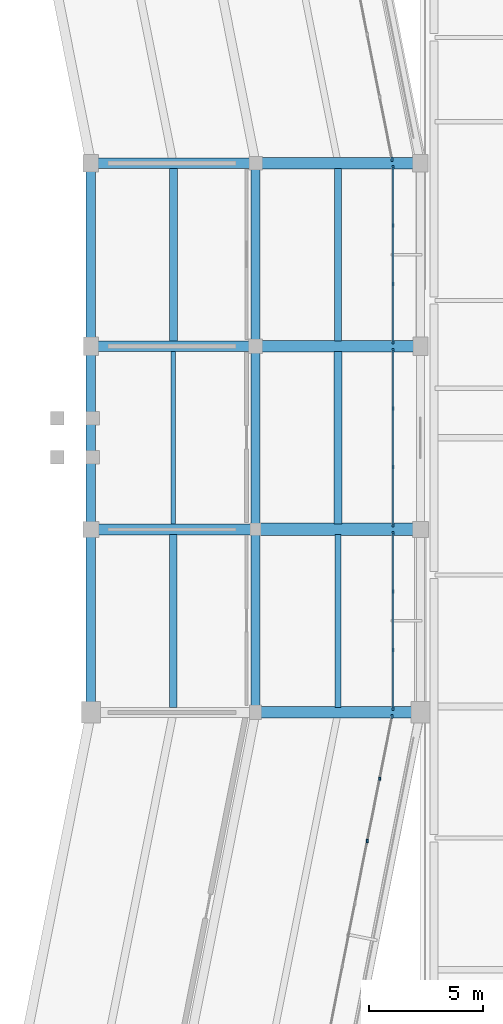
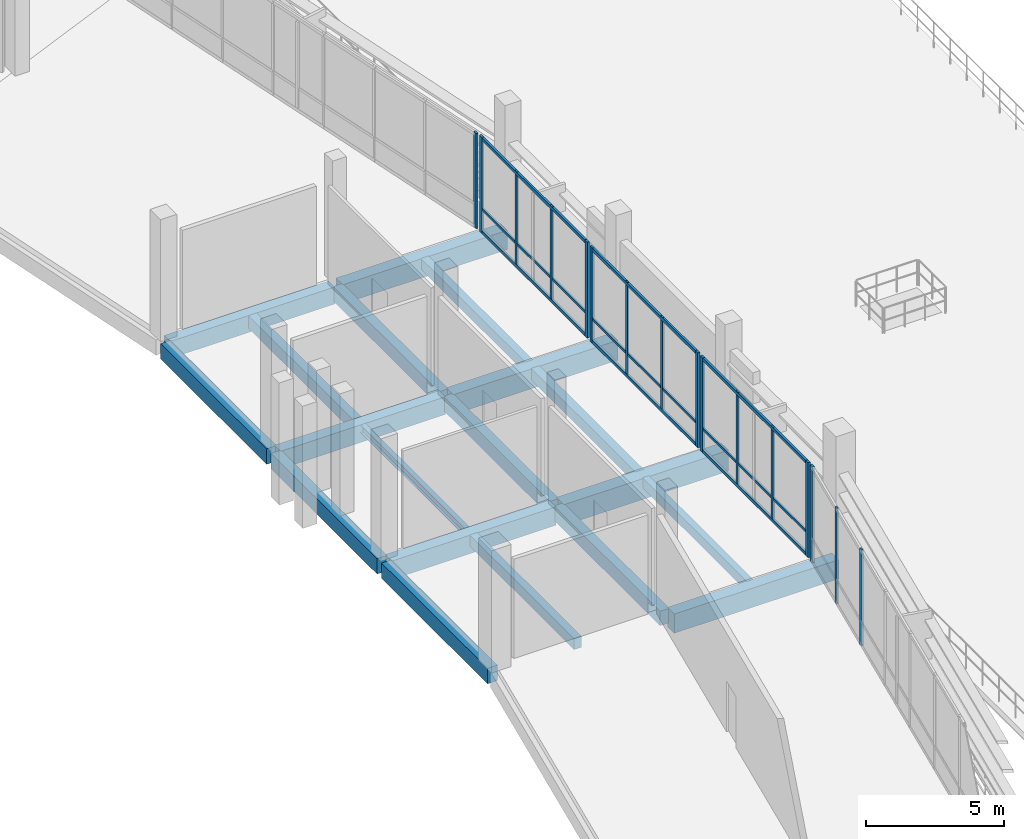
# One storey, part 40 of 111: 25 members, 19 beams, 5 elements without a shape of their own.
"""IFC4 building model written with IfcOpenShell, lengths in metres."""

from ifc_helpers import new_model, si_unit, direction, frame, origin, origin_2d, place, context, subcontext, project, spatial, rectangle, i_section, extrude, material, material_profile, profile_set, type_object, element, aggregate, save


model = new_model("IFC4")

# Units and contexts
model_context = context("Model", 3, precision=1e-05, world=origin(), true_north=direction((0.0, 1.0)))
body_context = subcontext(model_context, "Body", "Model", "MODEL_VIEW")
ifc_project = project(units=[si_unit("LENGTHUNIT", "METRE"), si_unit("AREAUNIT", "SQUARE_METRE"), si_unit("VOLUMEUNIT", "CUBIC_METRE"), si_unit("PLANEANGLEUNIT", "RADIAN"), si_unit("MASSUNIT", "GRAM", prefix="KILO")], contexts=[model_context])

# Site, building, storey
site_placement = place(None, origin())
site = spatial("IfcSite", under=ifc_project, at=site_placement, CompositionType="ELEMENT")
building_placement = place(site_placement, origin())
building = spatial("IfcBuilding", under=site, at=building_placement, Name="Candeia Ridge Stadium", CompositionType="ELEMENT")
storey_placement = place(building_placement, frame((0.0, 0.0, 16.199951171875)))
storey = spatial("IfcBuildingStorey", under=building, at=storey_placement, Name="L03", CompositionType="ELEMENT", Elevation=16.199951171875)

# Beams
ifc_material_1 = material(Name="Concrete C45/55", Category="concrete")
ifc_material_profile_1 = material_profile(ifc_material_1, rectangle(XDim=0.449951171875, YDim=0.75, at=origin_2d()), Name="RC450x750", Category="concrete")
ifc_profile_set_1 = profile_set([ifc_material_profile_1], Name="Concrete C45/55")
beam_type_1 = type_object("IfcBeamType", Name="Bowl Radial Girder RC450x750", PredefinedType="BEAM", material=ifc_profile_set_1)
beam_1_placement = place(storey_placement, frame((178.760009765625, 95.0, -0.625), z_axis=(1.0, 0.0, 0.0), x_axis=(0.0, 1.0, 0.0)))
element("IfcBeam", 1, at=beam_1_placement, inside=storey, type_object=beam_type_1, Name="Bowl radial girder BM-L03-0545", PredefinedType="BEAM", context=body_context, shape_type="SweptSolid", body=[
    extrude(rectangle(XDim=0.449951171875, YDim=0.75, at=origin_2d()), origin(), (0.0, 0.0, 1.0), 6.8798828125),
])
ifc_material_2 = material(Name="Concrete C40/50", Category="concrete")
ifc_material_profile_2 = material_profile(ifc_material_2, rectangle(XDim=0.35009765625, YDim=0.550048828125, at=origin_2d()), Name="RC350x550", Category="concrete")
ifc_profile_set_2 = profile_set([ifc_material_profile_2], Name="Concrete C40/50")
beam_type_2 = type_object("IfcBeamType", Name="Concourse Concrete Joist RC350x550", PredefinedType="JOIST", material=ifc_profile_set_2)
beam_2_placement = place(storey_placement, frame((182.199951171875, 87.221923828125, -0.52490234375), z_axis=(0.0, 1.0, 0.0), x_axis=(-1.0, 0.0, 0.0)))
element("IfcBeam", 2, at=beam_2_placement, inside=storey, type_object=beam_type_2, Name="Concourse secondary joist BM-L03-0700", PredefinedType="JOIST", context=body_context, shape_type="SweptSolid", body=[
    extrude(rectangle(XDim=0.35009765625, YDim=0.550048828125, at=origin_2d()), origin(), (0.0, 0.0, 1.0), 7.55615234375),
])
ifc_material_3 = material(Name="Steel ASTM A572 Grade 50", Category="steel")
ifc_material_profile_3 = material_profile(ifc_material_3, i_section(OverallWidth=0.205078125, OverallDepth=0.35400390625, WebThickness=0.009521484375, FlangeThickness=0.016845703125, FilletRadius=0.014892578125, at=origin_2d()), Name="W360x79", Category="steel")
ifc_profile_set_3 = profile_set([ifc_material_profile_3], Name="Steel ASTM A572 Grade 50")
beam_type_3 = type_object("IfcBeamType", Name="Concourse Secondary Joist W360x79", PredefinedType="JOIST", material=ifc_profile_set_3)
beam_3_placement = place(storey_placement, frame((182.199951171875, 79.221923828125, -0.427001953125), z_axis=(0.0, 1.0, 0.0), x_axis=(-1.0, 0.0, 0.0)))
element("IfcBeam", 3, at=beam_3_placement, inside=storey, type_object=beam_type_3, Name="Concourse secondary joist BM-L03-0695", PredefinedType="JOIST", context=body_context, shape_type="SweptSolid", body=[
    extrude(i_section(OverallWidth=0.205078125, OverallDepth=0.35400390625, WebThickness=0.009521484375, FlangeThickness=0.016845703125, FilletRadius=0.014892578125, at=origin_2d()), origin(), (0.0, 0.0, 1.0), 7.55615234375),
])

# Curtain wall, member
ifc_material_4 = material(Name="Aluminium Anodized Warm Bronze", Category="aluminium")
curtain_wall_type = type_object("IfcCurtainWallType", Name="Concourse Recessed Unitised Curtain Wall", PredefinedType="NOTDEFINED", material=ifc_material_4)
curtain_wall_1_placement = place(storey_placement, origin())
curtain_wall_1 = element("IfcCurtainWall", 4, at=curtain_wall_1_placement, inside=storey, type_object=curtain_wall_type, Name="Unitised curtain wall CW-BWL-L03-28", PredefinedType="NOTDEFINED")
ifc_material_profile_4 = material_profile(ifc_material_4, rectangle(XDim=0.090087890625, YDim=0.179931640625, at=origin_2d()), Name="CWM-90x180", Category="aluminium")
ifc_profile_set_4 = profile_set([ifc_material_profile_4], Name="Aluminium Anodized Warm Bronze")
member_type_1 = type_object("IfcMemberType", Name="Curtain Wall Primary Mullion 90x180", PredefinedType="MULLION", material=ifc_profile_set_4)
member_1_placement = place(storey_placement, frame((191.764892578125, 70.823486328125, 0.0), z_axis=(0.0, 0.0, 1.0), x_axis=(1.0, 0.0, 0.0)))
member_1 = element("IfcMember", 5, at=member_1_placement, type_object=member_type_1, Name="Curtain wall mullion CW-BWL-L03-28-M7", PredefinedType="MULLION", context=body_context, shape_type="SweptSolid", body=[
    extrude(rectangle(XDim=0.090087890625, YDim=0.179931640625, at=origin_2d()), origin(), (0.0, 0.0, 1.0), 4.2451171875),
])

# Curtain wall, members
curtain_wall_2_placement = place(storey_placement, origin())
curtain_wall_2 = element("IfcCurtainWall", 6, at=curtain_wall_2_placement, inside=storey, type_object=curtain_wall_type, Name="Unitised curtain wall CW-BWL-L03-29", PredefinedType="NOTDEFINED")
member_2_placement = place(storey_placement, frame((191.800048828125, 71.179931640625, 0.0), z_axis=(0.0, 0.0, 1.0), x_axis=(1.0, 0.0, 0.0)))
member_2 = element("IfcMember", 7, at=member_2_placement, type_object=member_type_1, Name="Curtain wall mullion CW-BWL-L03-29-M0", PredefinedType="MULLION", context=body_context, shape_type="SweptSolid", body=[
    extrude(rectangle(XDim=0.090087890625, YDim=0.179931640625, at=origin_2d()), origin(), (0.0, 0.0, 1.0), 4.205078125),
])
member_3_placement = place(storey_placement, frame((191.800048828125, 78.820068359375, 0.0), z_axis=(0.0, 0.0, 1.0), x_axis=(1.0, 0.0, 0.0)))
member_3 = element("IfcMember", 8, at=member_3_placement, type_object=member_type_1, Name="Curtain wall mullion CW-BWL-L03-29-M3", PredefinedType="MULLION", context=body_context, shape_type="SweptSolid", body=[
    extrude(rectangle(XDim=0.090087890625, YDim=0.179931640625, at=origin_2d()), origin(), (0.0, 0.0, 1.0), 4.205078125),
])

curtain_wall_3_placement = place(storey_placement, origin())
curtain_wall_3 = element("IfcCurtainWall", 9, at=curtain_wall_3_placement, inside=storey, type_object=curtain_wall_type, Name="Unitised curtain wall CW-BWL-L03-30", PredefinedType="NOTDEFINED")
member_4_placement = place(storey_placement, frame((191.800048828125, 79.179931640625, 0.0), z_axis=(0.0, 0.0, 1.0), x_axis=(1.0, 0.0, 0.0)))
member_4 = element("IfcMember", 10, at=member_4_placement, type_object=member_type_1, Name="Curtain wall mullion CW-BWL-L03-30-M0", PredefinedType="MULLION", context=body_context, shape_type="SweptSolid", body=[
    extrude(rectangle(XDim=0.090087890625, YDim=0.179931640625, at=origin_2d()), origin(), (0.0, 0.0, 1.0), 4.205078125),
])
member_5_placement = place(storey_placement, frame((191.800048828125, 86.820068359375, 0.0), z_axis=(0.0, 0.0, 1.0), x_axis=(1.0, 0.0, 0.0)))
member_5 = element("IfcMember", 11, at=member_5_placement, type_object=member_type_1, Name="Curtain wall mullion CW-BWL-L03-30-M3", PredefinedType="MULLION", context=body_context, shape_type="SweptSolid", body=[
    extrude(rectangle(XDim=0.090087890625, YDim=0.179931640625, at=origin_2d()), origin(), (0.0, 0.0, 1.0), 4.205078125),
])

curtain_wall_4_placement = place(storey_placement, origin())
curtain_wall_4 = element("IfcCurtainWall", 12, at=curtain_wall_4_placement, inside=storey, type_object=curtain_wall_type, Name="Unitised curtain wall CW-BWL-L03-31", PredefinedType="NOTDEFINED")
member_6_placement = place(storey_placement, frame((191.800048828125, 87.179931640625, 0.0), z_axis=(0.0, 0.0, 1.0), x_axis=(1.0, 0.0, 0.0)))
member_6 = element("IfcMember", 13, at=member_6_placement, type_object=member_type_1, Name="Curtain wall mullion CW-BWL-L03-31-M0", PredefinedType="MULLION", context=body_context, shape_type="SweptSolid", body=[
    extrude(rectangle(XDim=0.090087890625, YDim=0.179931640625, at=origin_2d()), origin(), (0.0, 0.0, 1.0), 4.2451171875),
])
member_7_placement = place(storey_placement, frame((191.800048828125, 94.820068359375, 0.0), z_axis=(0.0, 0.0, 1.0), x_axis=(1.0, 0.0, 0.0)))
member_7 = element("IfcMember", 14, at=member_7_placement, type_object=member_type_1, Name="Curtain wall mullion CW-BWL-L03-31-M3", PredefinedType="MULLION", context=body_context, shape_type="SweptSolid", body=[
    extrude(rectangle(XDim=0.090087890625, YDim=0.179931640625, at=origin_2d()), origin(), (0.0, 0.0, 1.0), 4.2451171875),
])

# Curtain wall, member
curtain_wall_5_placement = place(storey_placement, origin())
curtain_wall_5 = element("IfcCurtainWall", 15, at=curtain_wall_5_placement, inside=storey, type_object=curtain_wall_type, Name="Unitised curtain wall CW-BWL-L03-32", PredefinedType="NOTDEFINED")
member_8_placement = place(storey_placement, frame((191.764892578125, 95.176513671875, 0.0), z_axis=(0.0, 0.0, 1.0), x_axis=(1.0, 0.0, 0.0)))
member_8 = element("IfcMember", 16, at=member_8_placement, type_object=member_type_1, Name="Curtain wall mullion CW-BWL-L03-32-M0", PredefinedType="MULLION", context=body_context, shape_type="SweptSolid", body=[
    extrude(rectangle(XDim=0.090087890625, YDim=0.179931640625, at=origin_2d()), origin(), (0.0, 0.0, 1.0), 4.205078125),
])
aggregate(curtain_wall_5, [member_8])

# Member
ifc_material_profile_5 = material_profile(ifc_material_4, rectangle(XDim=0.074951171875, YDim=0.14990234375, at=origin_2d()), Name="CWM-75x150", Category="aluminium")
ifc_profile_set_5 = profile_set([ifc_material_profile_5], Name="Aluminium Anodized Warm Bronze")
member_type_2 = type_object("IfcMemberType", Name="Curtain Wall Secondary Mullion 75x150", PredefinedType="MULLION", material=ifc_profile_set_5)
member_9_placement = place(storey_placement, frame((190.68017578125, 65.3701171875, 0.0), z_axis=(0.0, 0.0, 1.0), x_axis=(1.0, 0.0, 0.0)))
member_9 = element("IfcMember", 17, at=member_9_placement, type_object=member_type_2, Name="Curtain wall mullion CW-BWL-L03-28-M5", PredefinedType="MULLION", context=body_context, shape_type="SweptSolid", body=[
    extrude(rectangle(XDim=0.074951171875, YDim=0.14990234375, at=origin_2d()), origin(), (0.0, 0.0, 1.0), 4.2451171875),
])

member_10_placement = place(storey_placement, frame((191.222412109375, 68.0966796875, 0.0), z_axis=(0.0, 0.0, 1.0), x_axis=(1.0, 0.0, 0.0)))
member_10 = element("IfcMember", 18, at=member_10_placement, type_object=member_type_2, Name="Curtain wall mullion CW-BWL-L03-28-M6", PredefinedType="MULLION", context=body_context, shape_type="SweptSolid", body=[
    extrude(rectangle(XDim=0.074951171875, YDim=0.14990234375, at=origin_2d()), origin(), (0.0, 0.0, 1.0), 4.2451171875),
])

aggregate(curtain_wall_1, [member_9, member_10, member_1])

member_11_placement = place(storey_placement, frame((191.800048828125, 73.726806640625, 0.0), z_axis=(0.0, 0.0, 1.0), x_axis=(1.0, 0.0, 0.0)))
member_11 = element("IfcMember", 19, at=member_11_placement, type_object=member_type_2, Name="Curtain wall mullion CW-BWL-L03-29-M1", PredefinedType="MULLION", context=body_context, shape_type="SweptSolid", body=[
    extrude(rectangle(XDim=0.074951171875, YDim=0.14990234375, at=origin_2d()), origin(), (0.0, 0.0, 1.0), 4.205078125),
])

member_12_placement = place(storey_placement, frame((191.800048828125, 76.273193359375, 0.0), z_axis=(0.0, 0.0, 1.0), x_axis=(1.0, 0.0, 0.0)))
member_12 = element("IfcMember", 20, at=member_12_placement, type_object=member_type_2, Name="Curtain wall mullion CW-BWL-L03-29-M2", PredefinedType="MULLION", context=body_context, shape_type="SweptSolid", body=[
    extrude(rectangle(XDim=0.074951171875, YDim=0.14990234375, at=origin_2d()), origin(), (0.0, 0.0, 1.0), 4.205078125),
])

member_13_placement = place(storey_placement, frame((191.800048828125, 81.726806640625, 0.0), z_axis=(0.0, 0.0, 1.0), x_axis=(1.0, 0.0, 0.0)))
member_13 = element("IfcMember", 21, at=member_13_placement, type_object=member_type_2, Name="Curtain wall mullion CW-BWL-L03-30-M1", PredefinedType="MULLION", context=body_context, shape_type="SweptSolid", body=[
    extrude(rectangle(XDim=0.074951171875, YDim=0.14990234375, at=origin_2d()), origin(), (0.0, 0.0, 1.0), 4.205078125),
])

member_14_placement = place(storey_placement, frame((191.800048828125, 84.273193359375, 0.0), z_axis=(0.0, 0.0, 1.0), x_axis=(1.0, 0.0, 0.0)))
member_14 = element("IfcMember", 22, at=member_14_placement, type_object=member_type_2, Name="Curtain wall mullion CW-BWL-L03-30-M2", PredefinedType="MULLION", context=body_context, shape_type="SweptSolid", body=[
    extrude(rectangle(XDim=0.074951171875, YDim=0.14990234375, at=origin_2d()), origin(), (0.0, 0.0, 1.0), 4.205078125),
])

member_15_placement = place(storey_placement, frame((191.800048828125, 89.726806640625, 0.0), z_axis=(0.0, 0.0, 1.0), x_axis=(1.0, 0.0, 0.0)))
member_15 = element("IfcMember", 23, at=member_15_placement, type_object=member_type_2, Name="Curtain wall mullion CW-BWL-L03-31-M1", PredefinedType="MULLION", context=body_context, shape_type="SweptSolid", body=[
    extrude(rectangle(XDim=0.074951171875, YDim=0.14990234375, at=origin_2d()), origin(), (0.0, 0.0, 1.0), 4.2451171875),
])

member_16_placement = place(storey_placement, frame((191.800048828125, 92.273193359375, 0.0), z_axis=(0.0, 0.0, 1.0), x_axis=(1.0, 0.0, 0.0)))
member_16 = element("IfcMember", 24, at=member_16_placement, type_object=member_type_2, Name="Curtain wall mullion CW-BWL-L03-31-M2", PredefinedType="MULLION", context=body_context, shape_type="SweptSolid", body=[
    extrude(rectangle(XDim=0.074951171875, YDim=0.14990234375, at=origin_2d()), origin(), (0.0, 0.0, 1.0), 4.2451171875),
])

ifc_material_profile_6 = material_profile(ifc_material_4, rectangle(XDim=0.074951171875, YDim=0.110107421875, at=origin_2d()), Name="CWT-75x110", Category="aluminium")
ifc_profile_set_6 = profile_set([ifc_material_profile_6], Name="Aluminium Anodized Warm Bronze")
member_type_3 = type_object("IfcMemberType", Name="Curtain Wall Secondary Transom 75x110", PredefinedType="USERDEFINED", material=ifc_profile_set_6)
member_17_placement = place(storey_placement, frame((191.800048828125, 71.179931640625, 1.05126953125), z_axis=(0.0, 1.0, 0.0), x_axis=(-1.0, 0.0, 0.0)))
member_17 = element("IfcMember", 25, at=member_17_placement, type_object=member_type_3, Name="Curtain wall transom CW-BWL-L03-29-T1", ObjectType="TRANSOM", PredefinedType="USERDEFINED", context=body_context, shape_type="SweptSolid", body=[
    extrude(rectangle(XDim=0.074951171875, YDim=0.110107421875, at=origin_2d()), origin(), (0.0, 0.0, 1.0), 7.64013671875),
])

member_18_placement = place(storey_placement, frame((191.800048828125, 79.179931640625, 1.05126953125), z_axis=(0.0, 1.0, 0.0), x_axis=(-1.0, 0.0, 0.0)))
member_18 = element("IfcMember", 26, at=member_18_placement, type_object=member_type_3, Name="Curtain wall transom CW-BWL-L03-30-T1", ObjectType="TRANSOM", PredefinedType="USERDEFINED", context=body_context, shape_type="SweptSolid", body=[
    extrude(rectangle(XDim=0.074951171875, YDim=0.110107421875, at=origin_2d()), origin(), (0.0, 0.0, 1.0), 7.64013671875),
])

member_19_placement = place(storey_placement, frame((191.800048828125, 87.179931640625, 1.061279296875), z_axis=(0.0, 1.0, 0.0), x_axis=(-1.0, 0.0, 0.0)))
member_19 = element("IfcMember", 27, at=member_19_placement, type_object=member_type_3, Name="Curtain wall transom CW-BWL-L03-31-T1", ObjectType="TRANSOM", PredefinedType="USERDEFINED", context=body_context, shape_type="SweptSolid", body=[
    extrude(rectangle(XDim=0.074951171875, YDim=0.110107421875, at=origin_2d()), origin(), (0.0, 0.0, 1.0), 7.64013671875),
])

ifc_material_profile_7 = material_profile(ifc_material_4, rectangle(XDim=0.090087890625, YDim=0.139892578125, at=origin_2d()), Name="CWT-90x140", Category="aluminium")
ifc_profile_set_7 = profile_set([ifc_material_profile_7], Name="Aluminium Anodized Warm Bronze")
member_type_4 = type_object("IfcMemberType", Name="Curtain Wall Transom 90x140", PredefinedType="USERDEFINED", material=ifc_profile_set_7)
member_20_placement = place(storey_placement, frame((191.800048828125, 71.179931640625, 0.070068359375), z_axis=(0.0, 1.0, 0.0), x_axis=(-1.0, 0.0, 0.0)))
member_20 = element("IfcMember", 28, at=member_20_placement, type_object=member_type_4, Name="Curtain wall transom CW-BWL-L03-29-T0", ObjectType="TRANSOM", PredefinedType="USERDEFINED", context=body_context, shape_type="SweptSolid", body=[
    extrude(rectangle(XDim=0.090087890625, YDim=0.139892578125, at=origin_2d()), origin(), (0.0, 0.0, 1.0), 7.64013671875),
])

member_21_placement = place(storey_placement, frame((191.800048828125, 71.179931640625, 4.135009765625), z_axis=(0.0, 1.0, 0.0), x_axis=(-1.0, 0.0, 0.0)))
member_21 = element("IfcMember", 29, at=member_21_placement, type_object=member_type_4, Name="Curtain wall transom CW-BWL-L03-29-T2", ObjectType="TRANSOM", PredefinedType="USERDEFINED", context=body_context, shape_type="SweptSolid", body=[
    extrude(rectangle(XDim=0.090087890625, YDim=0.139892578125, at=origin_2d()), origin(), (0.0, 0.0, 1.0), 7.64013671875),
])

aggregate(curtain_wall_2, [member_2, member_11, member_12, member_3, member_20, member_17, member_21])

member_22_placement = place(storey_placement, frame((191.800048828125, 79.179931640625, 0.070068359375), z_axis=(0.0, 1.0, 0.0), x_axis=(-1.0, 0.0, 0.0)))
member_22 = element("IfcMember", 30, at=member_22_placement, type_object=member_type_4, Name="Curtain wall transom CW-BWL-L03-30-T0", ObjectType="TRANSOM", PredefinedType="USERDEFINED", context=body_context, shape_type="SweptSolid", body=[
    extrude(rectangle(XDim=0.090087890625, YDim=0.139892578125, at=origin_2d()), origin(), (0.0, 0.0, 1.0), 7.64013671875),
])

member_23_placement = place(storey_placement, frame((191.800048828125, 79.179931640625, 4.135009765625), z_axis=(0.0, 1.0, 0.0), x_axis=(-1.0, 0.0, 0.0)))
member_23 = element("IfcMember", 31, at=member_23_placement, type_object=member_type_4, Name="Curtain wall transom CW-BWL-L03-30-T2", ObjectType="TRANSOM", PredefinedType="USERDEFINED", context=body_context, shape_type="SweptSolid", body=[
    extrude(rectangle(XDim=0.090087890625, YDim=0.139892578125, at=origin_2d()), origin(), (0.0, 0.0, 1.0), 7.64013671875),
])

aggregate(curtain_wall_3, [member_4, member_13, member_14, member_5, member_22, member_18, member_23])

member_24_placement = place(storey_placement, frame((191.800048828125, 87.179931640625, 0.070068359375), z_axis=(0.0, 1.0, 0.0), x_axis=(-1.0, 0.0, 0.0)))
member_24 = element("IfcMember", 32, at=member_24_placement, type_object=member_type_4, Name="Curtain wall transom CW-BWL-L03-31-T0", ObjectType="TRANSOM", PredefinedType="USERDEFINED", context=body_context, shape_type="SweptSolid", body=[
    extrude(rectangle(XDim=0.090087890625, YDim=0.139892578125, at=origin_2d()), origin(), (0.0, 0.0, 1.0), 7.64013671875),
])

member_25_placement = place(storey_placement, frame((191.800048828125, 87.179931640625, 4.175048828125), z_axis=(0.0, 1.0, 0.0), x_axis=(-1.0, 0.0, 0.0)))
member_25 = element("IfcMember", 33, at=member_25_placement, type_object=member_type_4, Name="Curtain wall transom CW-BWL-L03-31-T2", ObjectType="TRANSOM", PredefinedType="USERDEFINED", context=body_context, shape_type="SweptSolid", body=[
    extrude(rectangle(XDim=0.090087890625, YDim=0.139892578125, at=origin_2d()), origin(), (0.0, 0.0, 1.0), 7.64013671875),
])

aggregate(curtain_wall_4, [member_6, member_15, member_16, member_7, member_24, member_19, member_25])

# Beams
ifc_material_profile_8 = material_profile(ifc_material_2, rectangle(XDim=0.27001953125, YDim=0.43994140625, at=origin_2d()), Name="RC270x440", Category="concrete")
ifc_profile_set_8 = profile_set([ifc_material_profile_8], Name="Concrete C40/50")
beam_type_4 = type_object("IfcBeamType", Name="Floor Joist RC270x440", PredefinedType="JOIST", material=ifc_profile_set_8)
beam_4_placement = place(storey_placement, frame((189.39990234375, 71.221923828125, -0.469970703125), z_axis=(0.0, 1.0, 0.0), x_axis=(-1.0, 0.0, 0.0)))
element("IfcBeam", 34, at=beam_4_placement, inside=storey, type_object=beam_type_4, Name="Concourse secondary joist BM-L03-0691", PredefinedType="JOIST", context=body_context, shape_type="SweptSolid", body=[
    extrude(rectangle(XDim=0.27001953125, YDim=0.43994140625, at=origin_2d()), origin(), (0.0, 0.0, 1.0), 7.55615234375),
])
ifc_material_profile_9 = material_profile(ifc_material_2, rectangle(XDim=0.31005859375, YDim=0.489990234375, at=origin_2d()), Name="RC310x490", Category="concrete")
ifc_profile_set_9 = profile_set([ifc_material_profile_9], Name="Concrete C40/50")
beam_type_5 = type_object("IfcBeamType", Name="Floor Joist RC310x490", PredefinedType="JOIST", material=ifc_profile_set_9)
beam_5_placement = place(storey_placement, frame((182.199951171875, 71.221923828125, -0.494873046875), z_axis=(0.0, 1.0, 0.0), x_axis=(-1.0, 0.0, 0.0)))
element("IfcBeam", 35, at=beam_5_placement, inside=storey, type_object=beam_type_5, Name="Concourse secondary joist BM-L03-0690", PredefinedType="JOIST", context=body_context, shape_type="SweptSolid", body=[
    extrude(rectangle(XDim=0.31005859375, YDim=0.489990234375, at=origin_2d()), origin(), (0.0, 0.0, 1.0), 7.55615234375),
])
ifc_material_profile_10 = material_profile(ifc_material_2, rectangle(XDim=0.320068359375, YDim=0.47998046875, at=origin_2d()), Name="RC320x480", Category="concrete")
ifc_profile_set_10 = profile_set([ifc_material_profile_10], Name="Concrete C40/50")
beam_type_6 = type_object("IfcBeamType", Name="Floor Joist RC320x480", PredefinedType="JOIST", material=ifc_profile_set_10)
beam_6_placement = place(storey_placement, frame((189.39990234375, 87.221923828125, -0.489990234375), z_axis=(0.0, 1.0, 0.0), x_axis=(-1.0, 0.0, 0.0)))
element("IfcBeam", 36, at=beam_6_placement, inside=storey, type_object=beam_type_6, Name="Concourse secondary joist BM-L03-0701", PredefinedType="JOIST", context=body_context, shape_type="SweptSolid", body=[
    extrude(rectangle(XDim=0.320068359375, YDim=0.47998046875, at=origin_2d()), origin(), (0.0, 0.0, 1.0), 7.55615234375),
])
ifc_material_profile_11 = material_profile(ifc_material_2, rectangle(XDim=0.35009765625, YDim=0.5, at=origin_2d()), Name="RC350x500", Category="concrete")
ifc_profile_set_11 = profile_set([ifc_material_profile_11], Name="Concrete C40/50")
beam_type_7 = type_object("IfcBeamType", Name="Floor Joist RC350x500", PredefinedType="JOIST", material=ifc_profile_set_11)
beam_7_placement = place(storey_placement, frame((189.39990234375, 79.221923828125, -0.5), z_axis=(0.0, 1.0, 0.0), x_axis=(-1.0, 0.0, 0.0)))
element("IfcBeam", 37, at=beam_7_placement, inside=storey, type_object=beam_type_7, Name="Concourse secondary joist BM-L03-0696", PredefinedType="JOIST", context=body_context, shape_type="SweptSolid", body=[
    extrude(rectangle(XDim=0.35009765625, YDim=0.5, at=origin_2d()), origin(), (0.0, 0.0, 1.0), 7.55615234375),
])
ifc_material_profile_12 = material_profile(ifc_material_2, rectangle(XDim=0.389892578125, YDim=0.639892578125, at=origin_2d()), Name="RC390x640", Category="concrete")
ifc_profile_set_12 = profile_set([ifc_material_profile_12], Name="Concrete C40/50")
beam_type_8 = type_object("IfcBeamType", Name="Frame Girder RC390x640", PredefinedType="BEAM", material=ifc_profile_set_12)
for number, where, z_axis, x_axis, name in (
    (38, (185.800048828125, 71.159912109375, -0.570068359375), (0.0, 1.0, 0.0), (-1.0, 0.0, 0.0), "Concourse spine girder BM-L03-0688"),
    (39, (185.800048828125, 79.159912109375, -0.570068359375), (0.0, 1.0, 0.0), (-1.0, 0.0, 0.0), "Concourse spine girder BM-L03-0693"),
    (40, (185.800048828125, 87.159912109375, -0.570068359375), (0.0, 1.0, 0.0), (-1.0, 0.0, 0.0), "Concourse spine girder BM-L03-0698"),
):
    element("IfcBeam", number, at=place(storey_placement, frame(where, z_axis=z_axis, x_axis=x_axis)), inside=storey, type_object=beam_type_8, Name=name, PredefinedType="BEAM", context=body_context, shape_type="SweptSolid", body=[
        extrude(rectangle(XDim=0.389892578125, YDim=0.639892578125, at=origin_2d()), origin(), (0.0, 0.0, 1.0), 7.68017578125),
    ])
ifc_material_profile_13 = material_profile(ifc_material_2, rectangle(XDim=0.419921875, YDim=0.679931640625, at=origin_2d()), Name="RC420x680", Category="concrete")
ifc_profile_set_13 = profile_set([ifc_material_profile_13], Name="Concrete C40/50")
beam_type_9 = type_object("IfcBeamType", Name="Frame Girder RC420x680", PredefinedType="BEAM", material=ifc_profile_set_13)
for number, where, z_axis, x_axis, name in (
    (41, (178.60009765625, 71.159912109375, -0.58984375), (0.0, 1.0, 0.0), (-1.0, 0.0, 0.0), "Bowl inner ring girder BM-L03-0687"),
    (42, (178.60009765625, 79.159912109375, -0.58984375), (0.0, 1.0, 0.0), (-1.0, 0.0, 0.0), "Bowl inner ring girder BM-L03-0692"),
    (43, (178.60009765625, 87.159912109375, -0.58984375), (0.0, 1.0, 0.0), (-1.0, 0.0, 0.0), "Bowl inner ring girder BM-L03-0697"),
):
    element("IfcBeam", number, at=place(storey_placement, frame(where, z_axis=z_axis, x_axis=x_axis)), inside=storey, type_object=beam_type_9, Name=name, PredefinedType="BEAM", context=body_context, shape_type="SweptSolid", body=[
        extrude(rectangle(XDim=0.419921875, YDim=0.679931640625, at=origin_2d()), origin(), (0.0, 0.0, 1.0), 7.68017578125),
    ])
ifc_material_profile_14 = material_profile(ifc_material_2, rectangle(XDim=0.4599609375, YDim=0.780029296875, at=origin_2d()), Name="RC460x780", Category="concrete")
ifc_profile_set_14 = profile_set([ifc_material_profile_14], Name="Concrete C40/50")
beam_type_10 = type_object("IfcBeamType", Name="Frame Girder RC460x780", PredefinedType="BEAM", material=ifc_profile_set_14)
beam_8_placement = place(storey_placement, frame((178.760009765625, 87.0, -0.639892578125), z_axis=(1.0, 0.0, 0.0), x_axis=(0.0, 1.0, 0.0)))
element("IfcBeam", 44, at=beam_8_placement, inside=storey, type_object=beam_type_10, Name="Bowl radial girder BM-L03-0543", PredefinedType="BEAM", context=body_context, shape_type="SweptSolid", body=[
    extrude(rectangle(XDim=0.4599609375, YDim=0.780029296875, at=origin_2d()), origin(), (0.0, 0.0, 1.0), 6.8798828125),
])
ifc_material_profile_15 = material_profile(ifc_material_1, rectangle(XDim=0.47998046875, YDim=0.820068359375, at=origin_2d()), Name="RC480x820", Category="concrete")
ifc_profile_set_15 = profile_set([ifc_material_profile_15], Name="Concrete C45/55")
beam_type_11 = type_object("IfcBeamType", Name="Frame Girder RC480x820", PredefinedType="BEAM", material=ifc_profile_set_15)
beam_9_placement = place(storey_placement, frame((178.760009765625, 79.0, -0.659912109375), z_axis=(1.0, 0.0, 0.0), x_axis=(0.0, 1.0, 0.0)))
element("IfcBeam", 45, at=beam_9_placement, inside=storey, type_object=beam_type_11, Name="Bowl radial girder BM-L03-0541", PredefinedType="BEAM", context=body_context, shape_type="SweptSolid", body=[
    extrude(rectangle(XDim=0.47998046875, YDim=0.820068359375, at=origin_2d()), origin(), (0.0, 0.0, 1.0), 6.8798828125),
])
ifc_material_profile_16 = material_profile(ifc_material_1, rectangle(XDim=0.5, YDim=0.85009765625, at=origin_2d()), Name="RC500x850", Category="concrete")
ifc_profile_set_16 = profile_set([ifc_material_profile_16], Name="Concrete C45/55")
beam_type_12 = type_object("IfcBeamType", Name="Frame Girder RC500x850", PredefinedType="BEAM", material=ifc_profile_set_16)
for number, where, z_axis, x_axis, name in (
    (46, (185.9599609375, 71.0, -0.675048828125), (1.0, 0.0, 0.0), (0.0, 1.0, 0.0), "Bowl radial girder BM-L03-0540"),
    (47, (185.9599609375, 95.0, -0.675048828125), (1.0, 0.0, 0.0), (0.0, 1.0, 0.0), "Bowl radial girder BM-L03-0546"),
):
    element("IfcBeam", number, at=place(storey_placement, frame(where, z_axis=z_axis, x_axis=x_axis)), inside=storey, type_object=beam_type_12, Name=name, PredefinedType="BEAM", context=body_context, shape_type="SweptSolid", body=[
        extrude(rectangle(XDim=0.5, YDim=0.85009765625, at=origin_2d()), origin(), (0.0, 0.0, 1.0), 6.880126953125),
    ])
ifc_material_profile_17 = material_profile(ifc_material_1, rectangle(XDim=0.52001953125, YDim=0.8798828125, at=origin_2d()), Name="RC520x880", Category="concrete")
ifc_profile_set_17 = profile_set([ifc_material_profile_17], Name="Concrete C45/55")
beam_type_13 = type_object("IfcBeamType", Name="Frame Girder RC520x880", PredefinedType="BEAM", material=ifc_profile_set_17)
beam_10_placement = place(storey_placement, frame((185.9599609375, 87.0, -0.68994140625), z_axis=(1.0, 0.0, 0.0), x_axis=(0.0, 1.0, 0.0)))
element("IfcBeam", 48, at=beam_10_placement, inside=storey, type_object=beam_type_13, Name="Bowl radial girder BM-L03-0544", PredefinedType="BEAM", context=body_context, shape_type="SweptSolid", body=[
    extrude(rectangle(XDim=0.52001953125, YDim=0.8798828125, at=origin_2d()), origin(), (0.0, 0.0, 1.0), 6.880126953125),
])
ifc_material_profile_18 = material_profile(ifc_material_1, rectangle(XDim=0.550048828125, YDim=0.919921875, at=origin_2d()), Name="RC550x920", Category="concrete")
ifc_profile_set_18 = profile_set([ifc_material_profile_18], Name="Concrete C45/55")
beam_type_14 = type_object("IfcBeamType", Name="Frame Girder RC550x920", PredefinedType="BEAM", material=ifc_profile_set_18)
beam_11_placement = place(storey_placement, frame((185.9599609375, 79.0, -0.7099609375), z_axis=(1.0, 0.0, 0.0), x_axis=(0.0, 1.0, 0.0)))
element("IfcBeam", 49, at=beam_11_placement, inside=storey, type_object=beam_type_14, Name="Bowl radial girder BM-L03-0542", PredefinedType="BEAM", context=body_context, shape_type="SweptSolid", body=[
    extrude(rectangle(XDim=0.550048828125, YDim=0.919921875, at=origin_2d()), origin(), (0.0, 0.0, 1.0), 6.880126953125),
])

save(model, "model.ifc")
